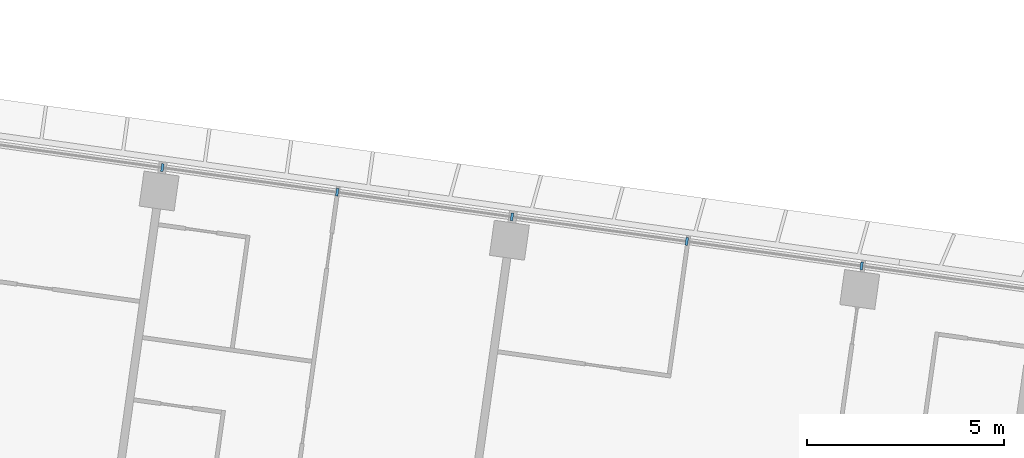
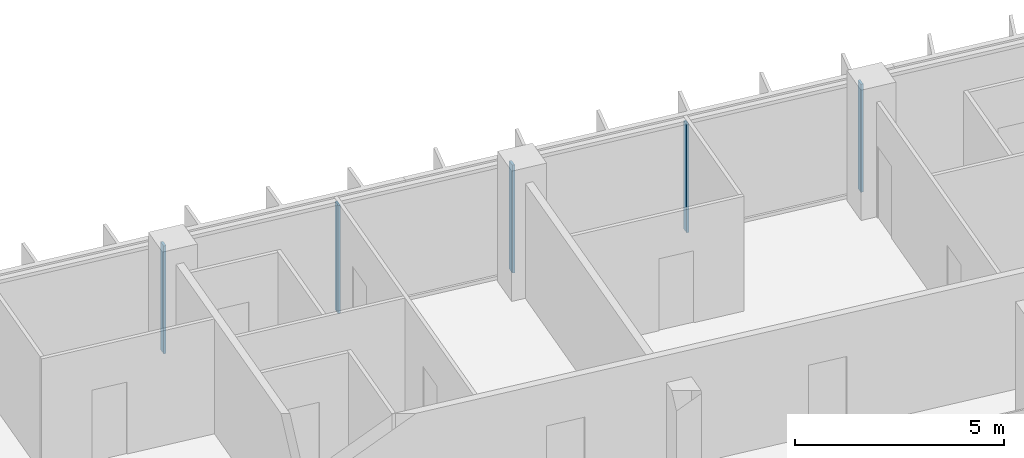
# One storey, part 5 of 27: 5 members, 1 element without a shape of its own.
"""IFC4 building model written with IfcOpenShell, lengths in metres."""

from ifc_helpers import new_model, si_unit, direction, frame, origin, origin_2d, place, context, subcontext, project, spatial, rectangle, extrude, material, material_profile, profile_set, type_object, element, aggregate, save


model = new_model("IFC4")

# Units and contexts
model_context = context("Model", 3, precision=1e-05, world=origin(), true_north=direction((0.0, 1.0)))
body_context = subcontext(model_context, "Body", "Model", "MODEL_VIEW")
ifc_project = project(units=[si_unit("LENGTHUNIT", "METRE"), si_unit("AREAUNIT", "SQUARE_METRE"), si_unit("VOLUMEUNIT", "CUBIC_METRE"), si_unit("PLANEANGLEUNIT", "RADIAN"), si_unit("MASSUNIT", "GRAM", prefix="KILO")], contexts=[model_context])

# Site, building, storey
site_placement = place(None, origin())
site = spatial("IfcSite", under=ifc_project, at=site_placement, CompositionType="ELEMENT")
building_placement = place(site_placement, origin())
building = spatial("IfcBuilding", under=site, at=building_placement, Name="Mirante Cascada Hotel Towers", CompositionType="ELEMENT")
storey_placement = place(building_placement, frame((0.0, 0.0, 117.7)))
storey = spatial("IfcBuildingStorey", under=building, at=storey_placement, Name="L26", CompositionType="ELEMENT", Elevation=117.7)

# Curtain wall, members
ifc_material_1 = material(Name="Aluminium mullion and transom frame with clear laminated glass", Category="aluminium")
curtain_wall_type = type_object("IfcCurtainWallType", Name="Ribbon curtain wall ECW1", PredefinedType="NOTDEFINED", material=ifc_material_1)
curtain_wall_placement = place(storey_placement, origin())
curtain_wall = element("IfcCurtainWall", 1, at=curtain_wall_placement, inside=storey, type_object=curtain_wall_type, Name="Front ribbon wall T1 L26", PredefinedType="NOTDEFINED")
ifc_material_2 = material(Name="Anodised aluminium extrusion", Category="aluminium")
ifc_material_profile = material_profile(ifc_material_2, rectangle(XDim=0.2, YDim=0.065, at=origin_2d()), Name="ECW1 MULLION 65x200")
ifc_profile_set = profile_set([ifc_material_profile], Name="Anodised aluminium extrusion")
member_type = type_object("IfcMemberType", Name="ECW1 mullion 65x200", PredefinedType="MULLION", material=ifc_profile_set)
member_1_placement = place(storey_placement, frame((-63.0262, 21.6768, 0.1), z_axis=(0.0, 0.0, 1.0), x_axis=(0.1391731, 0.9902681, 0.0)))
member_1 = element("IfcMember", 2, at=member_1_placement, type_object=member_type, Name="ECW1 mullion 8", PredefinedType="MULLION", context=body_context, shape_type="SweptSolid", body=[
    extrude(rectangle(XDim=0.2, YDim=0.065, at=origin_2d()), origin(), (0.0, 0.0, 1.0), 3.15),
])
member_2_placement = place(storey_placement, frame((-58.5788, 21.0517, 0.1), z_axis=(0.0, 0.0, 1.0), x_axis=(0.1391731, 0.9902681, 0.0)))
member_2 = element("IfcMember", 3, at=member_2_placement, type_object=member_type, Name="ECW1 mullion 9", PredefinedType="MULLION", context=body_context, shape_type="SweptSolid", body=[
    extrude(rectangle(XDim=0.2, YDim=0.065, at=origin_2d()), origin(), (0.0, 0.0, 1.0), 3.15),
])
member_3_placement = place(storey_placement, frame((-54.1314, 20.4267, 0.1), z_axis=(0.0, 0.0, 1.0), x_axis=(0.1391731, 0.9902681, 0.0)))
member_3 = element("IfcMember", 4, at=member_3_placement, type_object=member_type, Name="ECW1 mullion 10", PredefinedType="MULLION", context=body_context, shape_type="SweptSolid", body=[
    extrude(rectangle(XDim=0.2, YDim=0.065, at=origin_2d()), origin(), (0.0, 0.0, 1.0), 3.15),
])
member_4_placement = place(storey_placement, frame((-49.684, 19.8017, 0.1), z_axis=(0.0, 0.0, 1.0), x_axis=(0.1391731, 0.9902681, 0.0)))
member_4 = element("IfcMember", 5, at=member_4_placement, type_object=member_type, Name="ECW1 mullion 11", PredefinedType="MULLION", context=body_context, shape_type="SweptSolid", body=[
    extrude(rectangle(XDim=0.2, YDim=0.065, at=origin_2d()), origin(), (0.0, 0.0, 1.0), 3.15),
])
member_5_placement = place(storey_placement, frame((-45.2366, 19.1766, 0.1), z_axis=(0.0, 0.0, 1.0), x_axis=(0.1391731, 0.9902681, 0.0)))
member_5 = element("IfcMember", 6, at=member_5_placement, type_object=member_type, Name="ECW1 mullion 12", PredefinedType="MULLION", context=body_context, shape_type="SweptSolid", body=[
    extrude(rectangle(XDim=0.2, YDim=0.065, at=origin_2d()), origin(), (0.0, 0.0, 1.0), 3.15),
])
aggregate(curtain_wall, [member_1, member_2, member_3, member_4, member_5])

save(model, "model.ifc")
